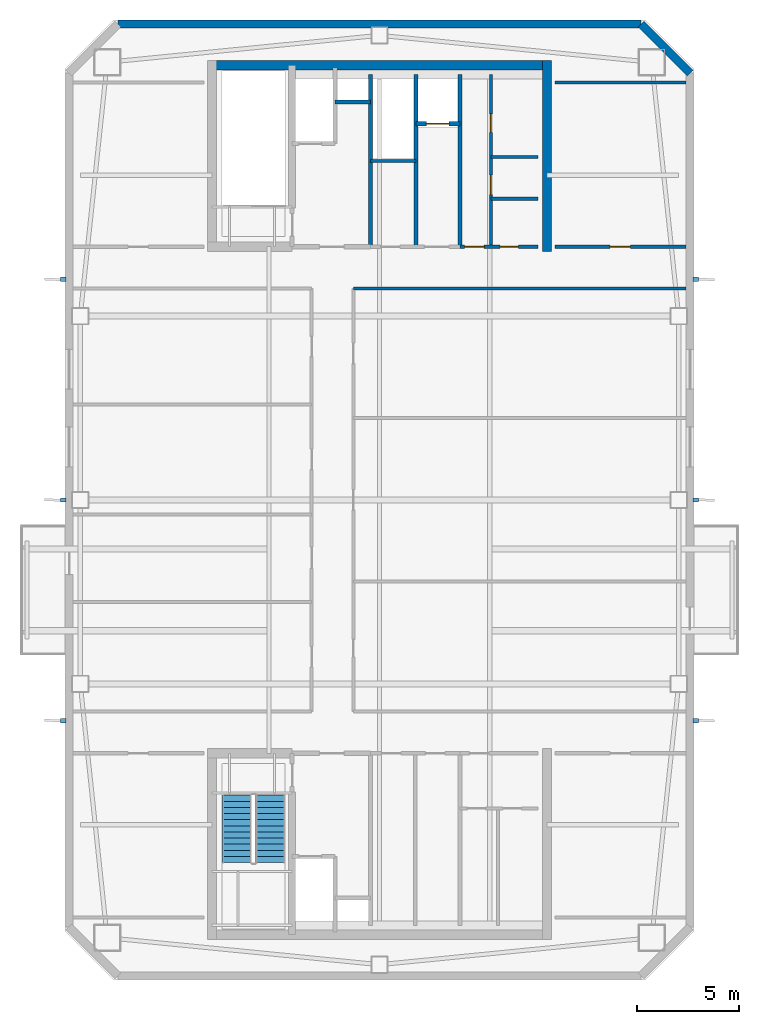
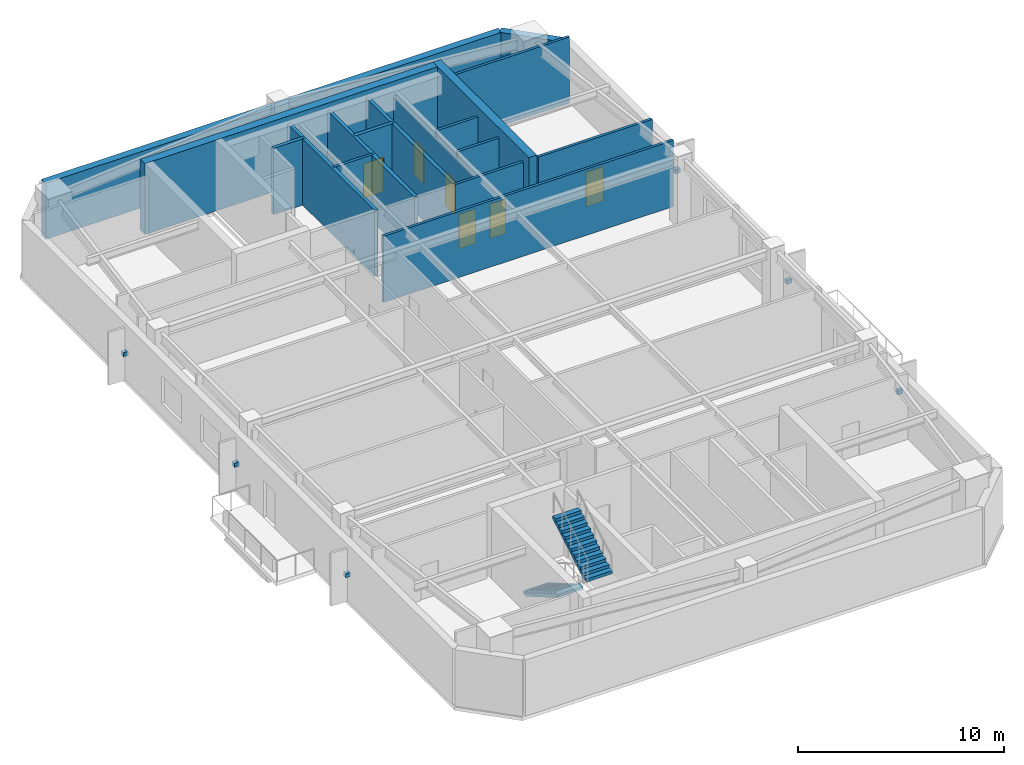
# One storey, part 4 of 6: 17 walls, 6 discrete accessories, 6 doors, 2 stair flights, 6 openings, 1 element without a shape of its own.
"""IFC4 building model written with IfcOpenShell, lengths in metres."""

from ifc_helpers import new_model, si_unit, direction, frame, frame_2d, origin, origin_2d, place, context, subcontext, project, spatial, polyline, rectangle, outline, extrude, material, layer, layer_set, type_object, element, fill, aggregate, save


model = new_model("IFC4")

# Units and contexts
model_context = context("Model", 3, precision=1e-05, world=origin(), true_north=direction((0.0, 1.0)))
body_context = subcontext(model_context, "Body", "Model", "MODEL_VIEW")
ifc_project = project(units=[si_unit("LENGTHUNIT", "METRE"), si_unit("AREAUNIT", "SQUARE_METRE"), si_unit("VOLUMEUNIT", "CUBIC_METRE"), si_unit("PLANEANGLEUNIT", "RADIAN"), si_unit("MASSUNIT", "GRAM", prefix="KILO")], contexts=[model_context])

# Site, building, storey
site_placement = place(None, origin())
site = spatial("IfcSite", under=ifc_project, at=site_placement, CompositionType="ELEMENT")
building_placement = place(site_placement, origin())
building = spatial("IfcBuilding", under=site, at=building_placement, Name="Qiaolan Cultural Towers", CompositionType="ELEMENT")
storey_placement = place(building_placement, frame((0.0, 0.0, 276.0)))
storey = spatial("IfcBuildingStorey", under=building, at=storey_placement, Name="L76", CompositionType="ELEMENT", Elevation=276.0)

# Walls
ifc_material_1 = material(Name="Concrete C50", Category="concrete")
ifc_layer_1 = layer(ifc_material_1, 0.449951171875)
ifc_layer_set_1 = layer_set([ifc_layer_1], Name="Concrete C50")
wall_type_1 = type_object("IfcWallType", Name="WL-CORE-450", PredefinedType="SHEAR", material=ifc_layer_set_1)
wall_1_placement = place(storey_placement, frame((21.574951171875, 55.280029296875, 0.0), z_axis=(0.0, 0.0, 1.0), x_axis=(1.0, 0.0, 0.0)))
element("IfcWall", 1, at=wall_1_placement, inside=storey, type_object=wall_type_1, Name="L76 T1-CN Outer Core Shear Wall", PredefinedType="SHEAR", context=body_context, shape_type="SweptSolid", body=[
    extrude(rectangle(XDim=16.85009765625, YDim=0.449951171875, at=frame_2d((8.425048828125, 0.0))), origin(), (0.0, 0.0, 1.0), 4.199951171875),
])
wall_2_placement = place(storey_placement, frame((38.199951171875, 46.175048828125, 0.0), z_axis=(0.0, 0.0, 1.0), x_axis=(0.0, 1.0, 0.0)))
element("IfcWall", 2, at=wall_2_placement, inside=storey, type_object=wall_type_1, Name="L76 T1-CN East Core Shear Wall", PredefinedType="SHEAR", context=body_context, shape_type="SweptSolid", body=[
    extrude(rectangle(XDim=9.329833984375, YDim=0.449951171875, at=frame_2d((4.6650390625, 0.0))), origin(), (0.0, 0.0, 1.0), 4.199951171875),
])
ifc_material_2 = material(Name="Precast Concrete C50 Honed Stone Pier", Category="masonry")
ifc_layer_2 = layer(ifc_material_2, 0.39990234375)
ifc_layer_set_2 = layer_set([ifc_layer_2], Name="Precast Concrete C50 Honed Stone Pier")
wall_type_2 = type_object("IfcWallType", Name="WL-EXT-PIER-400", PredefinedType="SOLIDWALL", material=ifc_layer_set_2)
wall_3_placement = place(storey_placement, frame((17.199951171875, 57.300048828125, 0.0), z_axis=(0.0, 0.0, 1.0), x_axis=(1.0, 0.0, 0.0)))
element("IfcWall", 3, at=wall_3_placement, inside=storey, type_object=wall_type_2, Name="L76 West Tower Precast Pier Facade Wall F3", PredefinedType="SOLIDWALL", context=body_context, shape_type="SweptSolid", body=[
    extrude(rectangle(XDim=25.60009765625, YDim=0.39990234375, at=frame_2d((12.800048828125, 0.0))), origin(), (0.0, 0.0, 1.0), 3.330078125),
])
wall_4_placement = place(storey_placement, frame((42.800048828125, 57.300048828125, 0.0), z_axis=(0.0, 0.0, 1.0), x_axis=(0.707070815327, -0.707142745217, 0.0)))
element("IfcWall", 4, at=wall_4_placement, inside=storey, type_object=wall_type_2, Name="L76 West Tower Precast Pier Facade Wall F4", PredefinedType="SOLIDWALL", context=body_context, shape_type="SweptSolid", body=[
    extrude(rectangle(XDim=3.39404296875, YDim=0.39990234375, at=frame_2d((1.697021484375, 0.0))), origin(), (0.0, 0.0, 1.0), 3.330078125),
])
ifc_material_3 = material(Name="Concrete C35 Fire Wall", Category="concrete")
ifc_layer_3 = layer(ifc_material_3, 0.199951171875)
ifc_layer_set_3 = layer_set([ifc_layer_3], Name="Concrete C35 Fire Wall")
wall_type_3 = type_object("IfcWallType", Name="WL-FIRE-200", PredefinedType="PARTITIONING", material=ifc_layer_set_3)
wall_5_placement = place(storey_placement, frame((29.550048828125, 46.39990234375, 0.0), z_axis=(0.0, 0.0, 1.0), x_axis=(0.0, 1.0, 0.0)))
element("IfcWall", 5, at=wall_5_placement, inside=storey, type_object=wall_type_3, Name="L76 T1-CN Firefighting Zone Wall", PredefinedType="PARTITIONING", context=body_context, shape_type="SweptSolid", body=[
    extrude(rectangle(XDim=8.43017578125, YDim=0.199951171875, at=frame_2d((4.215087890625, 0.0))), origin(), (0.0, 0.0, 1.0), 3.925048828125),
])
wall_6_placement = place(storey_placement, frame((27.820068359375, 53.47998046875, 0.0), z_axis=(0.0, 0.0, 1.0), x_axis=(1.0, 0.0, 0.0)))
element("IfcWall", 6, at=wall_6_placement, inside=storey, type_object=wall_type_3, Name="L76 T1-CN Pressurization Shaft Front Wall", PredefinedType="PARTITIONING", context=body_context, shape_type="SweptSolid", body=[
    extrude(rectangle(XDim=1.72998046875, YDim=0.199951171875, at=frame_2d((0.864990234375, 0.0))), origin(), (0.0, 0.0, 1.0), 3.925048828125),
])
for number, where, z_axis, x_axis, name in (
    (7, (33.949951171875, 46.39990234375, 0.0), (0.0, 0.0, 1.0), (0.0, 1.0, 0.0), "L76 T1-CN Lift Core East Wall"),
    (8, (31.780029296875, 46.39990234375, 0.0), (0.0, 0.0, 1.0), (0.0, 1.0, 0.0), "L76 T1-CN Sky Shuttle Lift Zone Wall"),
):
    element("IfcWall", number, at=place(storey_placement, frame(where, z_axis=z_axis, x_axis=x_axis)), inside=storey, type_object=wall_type_3, Name=name, PredefinedType="PARTITIONING", context=body_context, shape_type="SweptSolid", body=[
        extrude(rectangle(XDim=8.43017578125, YDim=0.199951171875, at=frame_2d((4.215087890625, 0.0))), origin(), (0.0, 0.0, 1.0), 3.925048828125),
    ])

# Wall, opening, door
wall_7_placement = place(storey_placement, frame((31.780029296875, 52.419921875, 0.0), z_axis=(0.0, 0.0, 1.0), x_axis=(1.0, 0.0, 0.0)))
wall_7 = element("IfcWall", 9, at=wall_7_placement, inside=storey, type_object=wall_type_3, Name="L76 T1-CN Shuttle Lift Shaft Front", PredefinedType="PARTITIONING", context=body_context, shape_type="SweptSolid", body=[
    extrude(rectangle(XDim=2.169921875, YDim=0.199951171875, at=frame_2d((1.0849609375, 0.0))), origin(), (0.0, 0.0, 1.0), 3.925048828125),
])
opening_1_placement = place(wall_7_placement, frame((0.52001953125, 0.0, 0.0)))
opening_1 = element("IfcOpeningElement", 10, at=opening_1_placement, cuts=wall_7, Name="Opening LD-01", PredefinedType="OPENING", context=body_context, shape_type="SweptSolid", body=[
    extrude(rectangle(XDim=1.10009765625, YDim=2.050048828125, at=frame_2d((0.550048828125, 1.02490234375))), frame((0.0, 0.10986328125, 0.0), z_axis=(0.0, -1.0, 0.0), x_axis=(1.0, 0.0, 0.0)), (0.0, 0.0, 1.0), 0.219970703125),
])
ifc_material_4 = material(Name="Brushed Stainless Steel S30408 Centre-Parting Lift Landing Door", Category="steel")
door_type_1 = type_object("IfcDoorType", Name="DR-LIFT-1100", OperationType="NOTDEFINED", PredefinedType="DOOR", material=ifc_material_4)
door_1_placement = place(opening_1_placement, origin())
door_1 = element("IfcDoor", 11, at=door_1_placement, inside=storey, type_object=door_type_1, Name="L76 Sky Shuttle Lift Landing Door", OperationType="DOUBLE_DOOR_SLIDING", OverallHeight=2.050048828125, OverallWidth=1.10009765625, PredefinedType="DOOR", context=body_context, shape_type="SweptSolid", body=[
    extrude(rectangle(XDim=1.10009765625, YDim=2.050048828125, at=frame_2d((0.550048828125, 1.02490234375))), frame((0.0, 0.02490234375, 0.0), z_axis=(0.0, -1.0, 0.0), x_axis=(1.0, 0.0, 0.0)), (0.0, 0.0, 1.0), 0.050048828125),
])
fill(opening_1, door_1)

# Wall
ifc_material_5 = material(Name="Autoclaved Aerated Concrete Block B06", Category="concrete")
ifc_layer_4 = layer(ifc_material_5, 0.14990234375)
ifc_layer_set_4 = layer_set([ifc_layer_4], Name="Autoclaved Aerated Concrete Block B06")
wall_type_4 = type_object("IfcWallType", Name="WL-PART-150", PredefinedType="PARTITIONING", material=ifc_layer_set_4)
wall_8_placement = place(storey_placement, frame((29.550048828125, 50.60009765625, 0.0), z_axis=(0.0, 0.0, 1.0), x_axis=(1.0, 0.0, 0.0)))
element("IfcWall", 12, at=wall_8_placement, inside=storey, type_object=wall_type_4, Name="L76 T1-CN High-Zone Reclaimed Split", PredefinedType="PARTITIONING", context=body_context, shape_type="SweptSolid", body=[
    extrude(rectangle(XDim=2.22998046875, YDim=0.14990234375, at=frame_2d((1.114990234375, 0.0))), origin(), (0.0, 0.0, 1.0), 3.925048828125),
])

# Wall, openings, doors
wall_9_placement = place(storey_placement, frame((33.949951171875, 46.39990234375, 0.0), z_axis=(0.0, 0.0, 1.0), x_axis=(1.0, 0.0, 0.0)))
wall_9 = element("IfcWall", 13, at=wall_9_placement, inside=storey, type_object=wall_type_4, Name="L76 T1-CN Sanitary Core Front Wall", PredefinedType="PARTITIONING", context=body_context, shape_type="SweptSolid", body=[
    extrude(rectangle(XDim=3.800048828125, YDim=0.14990234375, at=frame_2d((1.89990234375, 0.0))), origin(), (0.0, 0.0, 1.0), 3.925048828125),
])
opening_2_placement = place(wall_9_placement, frame((0.219970703125, 0.0, 0.0)))
opening_2 = element("IfcOpeningElement", 14, at=opening_2_placement, cuts=wall_9, Name="Opening ID-05", PredefinedType="OPENING", context=body_context, shape_type="SweptSolid", body=[
    extrude(rectangle(XDim=0.949951171875, YDim=2.050048828125, at=frame_2d((0.47509765625, 1.02490234375))), frame((0.0, 0.0849609375, 0.0), z_axis=(0.0, -1.0, 0.0), x_axis=(1.0, 0.0, 0.0)), (0.0, 0.0, 1.0), 0.169921875),
])
opening_3_placement = place(wall_9_placement, frame((1.949951171875, 0.0, 0.0)))
opening_3 = element("IfcOpeningElement", 15, at=opening_3_placement, cuts=wall_9, Name="Opening ID-06", PredefinedType="OPENING", context=body_context, shape_type="SweptSolid", body=[
    extrude(rectangle(XDim=0.89990234375, YDim=2.050048828125, at=frame_2d((0.449951171875, 1.02490234375))), frame((0.0, 0.0849609375, 0.0), z_axis=(0.0, -1.0, 0.0), x_axis=(1.0, 0.0, 0.0)), (0.0, 0.0, 1.0), 0.169921875),
])
ifc_material_6 = material(Name="Fire-Rated Laminate Core Service Door", Category="timber")
door_type_2 = type_object("IfcDoorType", Name="DR-INT-900", OperationType="NOTDEFINED", PredefinedType="DOOR", material=ifc_material_6)
door_2_placement = place(opening_3_placement, origin())
door_2 = element("IfcDoor", 16, at=door_2_placement, inside=storey, type_object=door_type_2, Name="L76 Core Tea Pantry Door", OperationType="SINGLE_SWING_RIGHT", OverallHeight=2.050048828125, OverallWidth=0.89990234375, PredefinedType="DOOR", context=body_context, shape_type="SweptSolid", body=[
    extrude(rectangle(XDim=0.89990234375, YDim=2.050048828125, at=frame_2d((0.449951171875, 1.02490234375))), frame((0.0, 0.02490234375, 0.0), z_axis=(0.0, -1.0, 0.0), x_axis=(1.0, 0.0, 0.0)), (0.0, 0.0, 1.0), 0.050048828125),
])
fill(opening_3, door_2)
ifc_material_7 = material(Name="Fire-Rated Laminate Accessible Core Door", Category="timber")
door_type_3 = type_object("IfcDoorType", Name="DR-INT-950", OperationType="NOTDEFINED", PredefinedType="DOOR", material=ifc_material_7)
door_3_placement = place(opening_2_placement, origin())
door_3 = element("IfcDoor", 17, at=door_3_placement, inside=storey, type_object=door_type_3, Name="L76 Sanitary Passage Door", OperationType="SINGLE_SWING_LEFT", OverallHeight=2.050048828125, OverallWidth=0.949951171875, PredefinedType="DOOR", context=body_context, shape_type="SweptSolid", body=[
    extrude(rectangle(XDim=0.949951171875, YDim=2.050048828125, at=frame_2d((0.47509765625, 1.02490234375))), frame((0.0, 0.02490234375, 0.0), z_axis=(0.0, -1.0, 0.0), x_axis=(1.0, 0.0, 0.0)), (0.0, 0.0, 1.0), 0.050048828125),
])
fill(opening_2, door_3)

wall_10_placement = place(storey_placement, frame((35.449951171875, 46.39990234375, 0.0), z_axis=(0.0, 0.0, 1.0), x_axis=(0.0, 1.0, 0.0)))
wall_10 = element("IfcWall", 18, at=wall_10_placement, inside=storey, type_object=wall_type_4, Name="L76 T1-CN Sanitary Corridor Wall", PredefinedType="PARTITIONING", context=body_context, shape_type="SweptSolid", body=[
    extrude(rectangle(XDim=8.43017578125, YDim=0.14990234375, at=frame_2d((4.215087890625, 0.0))), origin(), (0.0, 0.0, 1.0), 3.514892578125),
])
opening_4_placement = place(wall_10_placement, frame((2.550048828125, 0.0, 0.0)))
opening_4 = element("IfcOpeningElement", 19, at=opening_4_placement, cuts=wall_10, Name="Opening ID-05", PredefinedType="OPENING", context=body_context, shape_type="SweptSolid", body=[
    extrude(rectangle(XDim=0.949951171875, YDim=2.050048828125, at=frame_2d((0.47509765625, 1.02490234375))), frame((0.0, 0.0849609375, 0.0), z_axis=(0.0, -1.0, 0.0), x_axis=(1.0, 0.0, 0.0)), (0.0, 0.0, 1.0), 0.169921875),
])
opening_5_placement = place(wall_10_placement, frame((5.60009765625, 0.0, 0.0)))
opening_5 = element("IfcOpeningElement", 20, at=opening_5_placement, cuts=wall_10, Name="Opening ID-06", PredefinedType="OPENING", context=body_context, shape_type="SweptSolid", body=[
    extrude(rectangle(XDim=0.89990234375, YDim=2.050048828125, at=frame_2d((0.449951171875, 1.02490234375))), frame((0.0, 0.0849609375, 0.0), z_axis=(0.0, -1.0, 0.0), x_axis=(1.0, 0.0, 0.0)), (0.0, 0.0, 1.0), 0.169921875),
])
door_4_placement = place(opening_5_placement, origin())
door_4 = element("IfcDoor", 21, at=door_4_placement, inside=storey, type_object=door_type_2, Name="L76 Staff Restroom Door", OperationType="SINGLE_SWING_RIGHT", OverallHeight=2.050048828125, OverallWidth=0.89990234375, PredefinedType="DOOR", context=body_context, shape_type="SweptSolid", body=[
    extrude(rectangle(XDim=0.89990234375, YDim=2.050048828125, at=frame_2d((0.449951171875, 1.02490234375))), frame((0.0, 0.02490234375, 0.0), z_axis=(0.0, -1.0, 0.0), x_axis=(1.0, 0.0, 0.0)), (0.0, 0.0, 1.0), 0.050048828125),
])
fill(opening_5, door_4)
door_5_placement = place(opening_4_placement, origin())
door_5 = element("IfcDoor", 22, at=door_5_placement, inside=storey, type_object=door_type_3, Name="L76 Accessible Washroom Door", OperationType="SINGLE_SWING_LEFT", OverallHeight=2.050048828125, OverallWidth=0.949951171875, PredefinedType="DOOR", context=body_context, shape_type="SweptSolid", body=[
    extrude(rectangle(XDim=0.949951171875, YDim=2.050048828125, at=frame_2d((0.47509765625, 1.02490234375))), frame((0.0, 0.02490234375, 0.0), z_axis=(0.0, -1.0, 0.0), x_axis=(1.0, 0.0, 0.0)), (0.0, 0.0, 1.0), 0.050048828125),
])
fill(opening_4, door_5)

# Walls
for number, where, z_axis, x_axis, name in (
    (23, (35.449951171875, 50.800048828125, 0.0), (0.0, 0.0, 1.0), (1.0, 0.0, 0.0), "L76 T1-CN Restroom Split Wall"),
    (24, (35.449951171875, 48.75, 0.0), (0.0, 0.0, 1.0), (1.0, 0.0, 0.0), "L76 T1-CN Core Pantry Wall"),
):
    element("IfcWall", number, at=place(storey_placement, frame(where, z_axis=z_axis, x_axis=x_axis)), inside=storey, type_object=wall_type_4, Name=name, PredefinedType="PARTITIONING", context=body_context, shape_type="SweptSolid", body=[
        extrude(rectangle(XDim=2.300048828125, YDim=0.14990234375, at=frame_2d((1.14990234375, 0.0))), origin(), (0.0, 0.0, 1.0), 3.925048828125),
    ])
wall_11_placement = place(storey_placement, frame((38.60009765625, 54.449951171875, 0.0), z_axis=(0.0, 0.0, 1.0), x_axis=(1.0, 0.0, 0.0)))
element("IfcWall", 25, at=wall_11_placement, inside=storey, type_object=wall_type_4, Name="L76 T1 Flank Wall FLK-NE", PredefinedType="PARTITIONING", context=body_context, shape_type="SweptSolid", body=[
    extrude(rectangle(XDim=6.39990234375, YDim=0.14990234375, at=frame_2d((3.199951171875, 0.0))), origin(), (0.0, 0.0, 1.0), 3.925048828125),
])

# Wall, opening, door
wall_12_placement = place(storey_placement, frame((38.60009765625, 46.39990234375, 0.0), z_axis=(0.0, 0.0, 1.0), x_axis=(1.0, 0.0, 0.0)))
wall_12 = element("IfcWall", 26, at=wall_12_placement, inside=storey, type_object=wall_type_4, Name="L76 T1 Flank Front FLK-NE", PredefinedType="PARTITIONING", context=body_context, shape_type="SweptSolid", body=[
    extrude(rectangle(XDim=6.39990234375, YDim=0.14990234375, at=frame_2d((3.199951171875, 0.0))), origin(), (0.0, 0.0, 1.0), 3.925048828125),
])
opening_6_placement = place(wall_12_placement, frame((2.68798828125, 0.0, 0.0)))
opening_6 = element("IfcOpeningElement", 27, at=opening_6_placement, cuts=wall_12, Name="Opening ID-04", PredefinedType="OPENING", context=body_context, shape_type="SweptSolid", body=[
    extrude(rectangle(XDim=1.0, YDim=2.050048828125, at=frame_2d((0.5, 1.02490234375))), frame((0.0, 0.0849609375, 0.0), z_axis=(0.0, -1.0, 0.0), x_axis=(1.0, 0.0, 0.0)), (0.0, 0.0, 1.0), 0.169921875),
])
ifc_material_8 = material(Name="Oak Veneer Acoustic Office Door", Category="timber")
door_type_4 = type_object("IfcDoorType", Name="DR-INT-1000", OperationType="NOTDEFINED", PredefinedType="DOOR", material=ifc_material_8)
door_6_placement = place(opening_6_placement, origin())
door_6 = element("IfcDoor", 28, at=door_6_placement, inside=storey, type_object=door_type_4, Name="L76 T1 Corner Studio Door", OperationType="SINGLE_SWING_LEFT", OverallHeight=2.050048828125, OverallWidth=1.0, PredefinedType="DOOR", context=body_context, shape_type="SweptSolid", body=[
    extrude(rectangle(XDim=1.0, YDim=2.050048828125, at=frame_2d((0.5, 1.02490234375))), frame((0.0, 0.02490234375, 0.0), z_axis=(0.0, -1.0, 0.0), x_axis=(1.0, 0.0, 0.0)), (0.0, 0.0, 1.0), 0.050048828125),
])
fill(opening_6, door_6)

# Wall
wall_13_placement = place(storey_placement, frame((28.72509765625, 44.35009765625, 0.0), z_axis=(0.0, 0.0, 1.0), x_axis=(1.0, 0.0, 0.0)))
element("IfcWall", 29, at=wall_13_placement, inside=storey, type_object=wall_type_4, Name="L76 T1 North Corridor Right Wall", PredefinedType="PARTITIONING", context=body_context, shape_type="SweptSolid", body=[
    extrude(rectangle(XDim=16.27490234375, YDim=0.14990234375, at=frame_2d((8.137451171875, 0.0))), origin(), (0.0, 0.0, 1.0), 3.925048828125),
])

# Stair, stair flights
ifc_material_9 = material(Name="Concrete C45", Category="concrete")
stair_type = type_object("IfcStairType", Name="STR-CORE-1500", PredefinedType="HALF_TURN_STAIR", material=ifc_material_9)
stair_placement = place(storey_placement, origin())
stair = element("IfcStair", 30, at=stair_placement, inside=storey, type_object=stair_type, Name="L76 Smokeproof Exit Stair ST-W1", PredefinedType="HALF_TURN_STAIR")
ifc_material_10 = material(Name="Concrete C45", Category="concrete")
stair_flight_type = type_object("IfcStairFlightType", Name="STR-CORE-1500-FL", PredefinedType="STRAIGHT", material=ifc_material_10)
stair_flight_1_placement = place(storey_placement, frame((23.02001953125, 19.550048828125, 0.0), z_axis=(0.0, 0.0, 1.0), x_axis=(0.0, -1.0, 0.0)))
stair_flight_1 = element("IfcStairFlight", 31, at=stair_flight_1_placement, type_object=stair_flight_type, Name="ST-W1 flight 1", NumberOfRisers=12, NumberOfTreads=11, PredefinedType="STRAIGHT", RiserHeight=0.175, TreadLength=0.3, context=body_context, shape_type="SweptSolid", body=[
    extrude(outline(polyline([(0.0, 0.0), (0.0, 0.175048828125), (0.300048828125, 0.175048828125), (0.300048828125, 0.35009765625), (0.60009765625, 0.35009765625), (0.60009765625, 0.52490234375), (0.89990234375, 0.52490234375), (0.89990234375, 0.699951171875), (1.199951171875, 0.699951171875), (1.199951171875, 0.875), (1.5, 0.875), (1.5, 1.050048828125), (1.800048828125, 1.050048828125), (1.800048828125, 1.22509765625), (2.10009765625, 1.22509765625), (2.10009765625, 1.39990234375), (2.39990234375, 1.39990234375), (2.39990234375, 1.574951171875), (2.699951171875, 1.574951171875), (2.699951171875, 1.75), (3.0, 1.75), (3.0, 1.925048828125), (3.300048828125, 1.925048828125), (3.300048828125, 2.10009765625), (3.300048828125, 1.75146484375), (0.297607421875, 0.0), (0.0, 0.0)])), frame((0.0, 0.719970703125, 0.0), z_axis=(0.0, -1.0, 0.0), x_axis=(1.0, 0.0, 0.0)), (0.0, 0.0, 1.0), 1.43994140625),
])
stair_flight_2_placement = place(storey_placement, frame((24.659912109375, 16.25, 2.10009765625), z_axis=(0.0, 0.0, 1.0), x_axis=(0.0, 1.0, 0.0)))
stair_flight_2 = element("IfcStairFlight", 32, at=stair_flight_2_placement, type_object=stair_flight_type, Name="ST-W1 flight 2", NumberOfRisers=12, NumberOfTreads=11, PredefinedType="STRAIGHT", RiserHeight=0.175, TreadLength=0.3, context=body_context, shape_type="SweptSolid", body=[
    extrude(outline(polyline([(0.0, 0.0), (0.0, 0.175048828125), (0.300048828125, 0.175048828125), (0.300048828125, 0.35009765625), (0.60009765625, 0.35009765625), (0.60009765625, 0.52490234375), (0.89990234375, 0.52490234375), (0.89990234375, 0.699951171875), (1.199951171875, 0.699951171875), (1.199951171875, 0.875), (1.5, 0.875), (1.5, 1.050048828125), (1.800048828125, 1.050048828125), (1.800048828125, 1.22509765625), (2.10009765625, 1.22509765625), (2.10009765625, 1.39990234375), (2.39990234375, 1.39990234375), (2.39990234375, 1.574951171875), (2.699951171875, 1.574951171875), (2.699951171875, 1.75), (3.0, 1.75), (3.0, 1.925048828125), (3.300048828125, 1.925048828125), (3.300048828125, 2.10009765625), (3.300048828125, 1.75146484375), (0.297607421875, 0.0), (0.0, 0.0)])), frame((0.0, 0.719970703125, 0.0), z_axis=(0.0, -1.0, 0.0), x_axis=(1.0, 0.0, 0.0)), (0.0, 0.0, 1.0), 1.43994140625),
])
aggregate(stair, [stair_flight_1, stair_flight_2])

# Discrete accessories
ifc_material_11 = material(Name="Stainless Steel S31608 Facade Anchor Bracket", Category="steel")
discrete_accessory_type = type_object("IfcDiscreteAccessoryType", Name="ACC-BRK-SS", PredefinedType="BRACKET", material=ifc_material_11)
for number, where, z_axis, x_axis, name in (
    (33, (14.52001953125, 23.199951171875, 1.544921875), (0.0, 0.0, 1.0), (1.0, 0.0, 0.0), "L76 T1 Facade Fin Anchor Bracket W1"),
    (34, (14.52001953125, 34.0, 1.544921875), (0.0, 0.0, 1.0), (1.0, 0.0, 0.0), "L76 T1 Facade Fin Anchor Bracket W2"),
    (35, (14.52001953125, 44.800048828125, 1.544921875), (0.0, 0.0, 1.0), (1.0, 0.0, 0.0), "L76 T1 Facade Fin Anchor Bracket W3"),
    (36, (45.47998046875, 23.199951171875, 1.544921875), (0.0, 0.0, 1.0), (1.0, 0.0, 0.0), "L76 T1 Facade Fin Anchor Bracket E1"),
    (37, (45.47998046875, 34.0, 1.544921875), (0.0, 0.0, 1.0), (1.0, 0.0, 0.0), "L76 T1 Facade Fin Anchor Bracket E2"),
    (38, (45.47998046875, 44.800048828125, 1.544921875), (0.0, 0.0, 1.0), (1.0, 0.0, 0.0), "L76 T1 Facade Fin Anchor Bracket E3"),
):
    element("IfcDiscreteAccessory", number, at=place(storey_placement, frame(where, z_axis=z_axis, x_axis=x_axis)), inside=storey, type_object=discrete_accessory_type, Name=name, PredefinedType="BRACKET", context=body_context, shape_type="SweptSolid", body=[
        extrude(rectangle(XDim=0.280029296875, YDim=0.219970703125, at=origin_2d()), origin(), (0.0, 0.0, 1.0), 0.239990234375),
    ])

save(model, "model.ifc")
